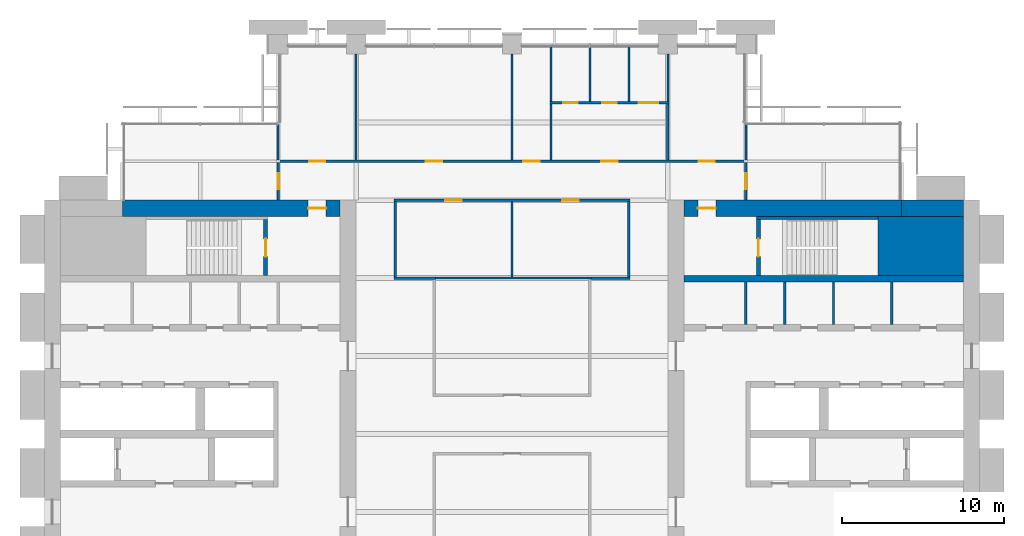
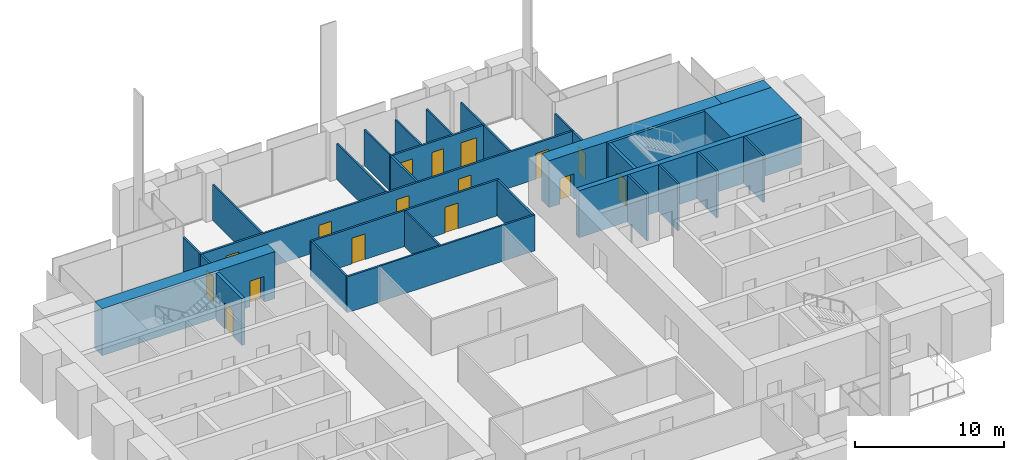
# One storey, part 12 of 14: 33 walls, 16 doors, 16 openings.
"""IFC4 building model written with IfcOpenShell, lengths in metres."""

from ifc_helpers import new_model, si_unit, direction, frame, frame_2d, origin, place, context, subcontext, project, spatial, rectangle, extrude, material, layer, layer_set, type_object, element, fill, save


model = new_model("IFC4")

# Units and contexts
model_context = context("Model", 3, precision=1e-05, world=origin(), true_north=direction((0.0, 1.0)))
body_context = subcontext(model_context, "Body", "Model", "MODEL_VIEW")
ifc_project = project(units=[si_unit("LENGTHUNIT", "METRE"), si_unit("AREAUNIT", "SQUARE_METRE"), si_unit("VOLUMEUNIT", "CUBIC_METRE"), si_unit("PLANEANGLEUNIT", "RADIAN"), si_unit("MASSUNIT", "GRAM", prefix="KILO")], contexts=[model_context])

# Site, building, storey
site_placement = place(None, origin())
site = spatial("IfcSite", under=ifc_project, at=site_placement, CompositionType="ELEMENT")
building_placement = place(site_placement, origin())
building = spatial("IfcBuilding", under=site, at=building_placement, Name="Baori Bourse Tower", CompositionType="ELEMENT")
storey_placement = place(building_placement, frame((0.0, 0.0, 120.10009765625)))
storey = spatial("IfcBuildingStorey", under=building, at=storey_placement, Name="L25", CompositionType="ELEMENT", Elevation=120.10009765625)

# Walls
ifc_material_1 = material(Name="Concrete f'c 60 MPa", Category="concrete")
wall_type_1 = type_object("IfcWallType", Name="Core corner block f'c 60", PredefinedType="SHEAR", material=ifc_material_1)
wall_1_placement = place(storey_placement, frame((51.35009765625, 35.574951171875, 0.0), z_axis=(0.0, 0.0, 1.0), x_axis=(1.0, 0.0, 0.0)))
element("IfcWall", 1, at=wall_1_placement, inside=storey, type_object=wall_type_1, Name="Core wall E28", PredefinedType="SHEAR", context=body_context, shape_type="SweptSolid", body=[
    extrude(rectangle(XDim=5.25, YDim=3.64990234375, at=frame_2d((2.625, 0.0))), origin(), (0.0, 0.0, 1.0), 3.83984375),
])
ifc_material_2 = material(Name="Blockwork partition", Category="masonry")
ifc_layer_1 = layer(ifc_material_2, 0.14990234375)
ifc_layer_set_1 = layer_set([ifc_layer_1], Name="Core partition 150")
wall_type_2 = type_object("IfcWallType", Name="Core partition 150", PredefinedType="PARTITIONING", material=ifc_layer_set_1)
for number, where, z_axis, x_axis, name in (
    (2, (52.199951171875, 30.75, 0.0), (0.0, 0.0, 1.0), (0.0, 1.0, 0.0), "Partition wall E23"),
    (3, (48.60009765625, 30.75, 0.0), (0.0, 0.0, 1.0), (0.0, 1.0, 0.0), "Partition wall E24"),
    (4, (45.60009765625, 30.75, 0.0), (0.0, 0.0, 1.0), (0.0, 1.0, 0.0), "Partition wall E25"),
    (5, (43.199951171875, 30.75, 0.0), (0.0, 0.0, 1.0), (0.0, 1.0, 0.0), "Partition wall E26"),
):
    element("IfcWall", number, at=place(storey_placement, frame(where, z_axis=z_axis, x_axis=x_axis)), inside=storey, type_object=wall_type_2, Name=name, PredefinedType="PARTITIONING", context=body_context, shape_type="SweptSolid", body=[
        extrude(rectangle(XDim=2.60009765625, YDim=0.14990234375, at=frame_2d((1.300048828125, 0.0))), origin(), (0.0, 0.0, 1.0), 3.83984375),
    ])

# Wall, opening, door
ifc_material_3 = material(Name="Concrete f'c 60 MPa", Category="concrete")
ifc_layer_2 = layer(ifc_material_3, 1.0)
ifc_layer_set_2 = layer_set([ifc_layer_2], Name="Core wall 1000 f'c 60")
wall_type_3 = type_object("IfcWallType", Name="Core wall 1000 f'c 60", PredefinedType="SHEAR", material=ifc_layer_set_2)
wall_2_placement = place(storey_placement, frame((4.800048828125, 37.89990234375, 0.0), z_axis=(0.0, 0.0, 1.0), x_axis=(1.0, 0.0, 0.0)))
wall_2 = element("IfcWall", 6, at=wall_2_placement, inside=storey, type_object=wall_type_3, Name="Core wall W32", PredefinedType="SHEAR", context=body_context, shape_type="SweptSolid", body=[
    extrude(rectangle(XDim=13.39990234375, YDim=1.0, at=frame_2d((6.699951171875, 0.0))), origin(), (0.0, 0.0, 1.0), 3.83984375),
])
opening_1_placement = place(wall_2_placement, frame((11.449951171875, 0.0, 0.0)))
opening_1 = element("IfcOpeningElement", 7, at=opening_1_placement, cuts=wall_2, Name="Opening L25-D104", PredefinedType="OPENING", context=body_context, shape_type="SweptSolid", body=[
    extrude(rectangle(XDim=1.10009765625, YDim=2.10009765625, at=frame_2d((0.550048828125, 1.050048828125))), frame((0.0, 0.510009765625, 0.0), z_axis=(0.0, -1.0, 0.0), x_axis=(1.0, 0.0, 0.0)), (0.0, 0.0, 1.0), 1.02001953125),
])
ifc_material_4 = material(Name="Painted steel door", Category="steel")
door_type_1 = type_object("IfcDoorType", Name="Stair door 1100", OperationType="SINGLE_SWING_LEFT", PredefinedType="DOOR", material=ifc_material_4)
door_1_placement = place(opening_1_placement, origin())
door_1 = element("IfcDoor", 8, at=door_1_placement, inside=storey, type_object=door_type_1, Name="Stair vestibule door B W L25", OperationType="SINGLE_SWING_LEFT", OverallHeight=2.10009765625, OverallWidth=1.10009765625, PredefinedType="DOOR", context=body_context, shape_type="SweptSolid", body=[
    extrude(rectangle(XDim=1.10009765625, YDim=2.10009765625, at=frame_2d((0.550048828125, 1.050048828125))), frame((0.0, 0.02490234375, 0.0), z_axis=(0.0, -1.0, 0.0), x_axis=(1.0, 0.0, 0.0)), (0.0, 0.0, 1.0), 0.050048828125),
])
fill(opening_1, door_1)

# Wall
wall_3_placement = place(storey_placement, frame((52.800048828125, 37.89990234375, 0.0), z_axis=(0.0, 0.0, 1.0), x_axis=(1.0, 0.0, 0.0)))
element("IfcWall", 9, at=wall_3_placement, inside=storey, type_object=wall_type_3, Name="Core wall E31", PredefinedType="SHEAR", context=body_context, shape_type="SweptSolid", body=[
    extrude(rectangle(XDim=3.800048828125, YDim=1.0, at=frame_2d((1.89990234375, 0.0))), origin(), (0.0, 0.0, 1.0), 3.83984375),
])

# Wall, opening, door
wall_4_placement = place(storey_placement, frame((39.39990234375, 37.89990234375, 0.0), z_axis=(0.0, 0.0, 1.0), x_axis=(1.0, 0.0, 0.0)))
wall_4 = element("IfcWall", 10, at=wall_4_placement, inside=storey, type_object=wall_type_3, Name="Core wall E32", PredefinedType="SHEAR", context=body_context, shape_type="SweptSolid", body=[
    extrude(rectangle(XDim=13.400146484375, YDim=1.0, at=frame_2d((6.7001953125, 0.0))), origin(), (0.0, 0.0, 1.0), 3.83984375),
])
opening_2_placement = place(wall_4_placement, frame((0.85009765625, 0.0, 0.0)))
opening_2 = element("IfcOpeningElement", 11, at=opening_2_placement, cuts=wall_4, Name="Opening L25-D204", PredefinedType="OPENING", context=body_context, shape_type="SweptSolid", body=[
    extrude(rectangle(XDim=1.10009765625, YDim=2.10009765625, at=frame_2d((0.550048828125, 1.050048828125))), frame((0.0, 0.510009765625, 0.0), z_axis=(0.0, -1.0, 0.0), x_axis=(1.0, 0.0, 0.0)), (0.0, 0.0, 1.0), 1.02001953125),
])
door_2_placement = place(opening_2_placement, origin())
door_2 = element("IfcDoor", 12, at=door_2_placement, inside=storey, type_object=door_type_1, Name="Stair vestibule door B E L25", OperationType="SINGLE_SWING_LEFT", OverallHeight=2.10009765625, OverallWidth=1.10009765625, PredefinedType="DOOR", context=body_context, shape_type="SweptSolid", body=[
    extrude(rectangle(XDim=1.10009765625, YDim=2.10009765625, at=frame_2d((0.550048828125, 1.050048828125))), frame((0.0, 0.02490234375, 0.0), z_axis=(0.0, -1.0, 0.0), x_axis=(1.0, 0.0, 0.0)), (0.0, 0.0, 1.0), 0.050048828125),
])
fill(opening_2, door_2)

# Walls
ifc_material_5 = material(Name="Gypsum board partition")
ifc_layer_3 = layer(ifc_material_5, 0.14990234375)
ifc_layer_set_3 = layer_set([ifc_layer_3], Name="Corridor partition 150")
wall_type_4 = type_object("IfcWallType", Name="Corridor partition 150", PredefinedType="PARTITIONING", material=ifc_layer_set_3)
wall_5_placement = place(storey_placement, frame((21.52490234375, 33.60009765625, 0.0), z_axis=(0.0, 0.0, 1.0), x_axis=(1.0, 0.0, 0.0)))
element("IfcWall", 13, at=wall_5_placement, inside=storey, type_object=wall_type_4, Name="Partition", PredefinedType="PARTITIONING", context=body_context, shape_type="SweptSolid", body=[
    extrude(rectangle(XDim=2.550048828125, YDim=0.14990234375, at=frame_2d((1.27490234375, 0.0))), origin(), (0.0, 0.0, 1.0), 2.935546875),
])
wall_6_placement = place(storey_placement, frame((33.675048828125, 33.60009765625, 0.0), z_axis=(0.0, 0.0, 1.0), x_axis=(1.0, 0.0, 0.0)))
element("IfcWall", 14, at=wall_6_placement, inside=storey, type_object=wall_type_4, Name="Partition", PredefinedType="PARTITIONING", context=body_context, shape_type="SweptSolid", body=[
    extrude(rectangle(XDim=2.39990234375, YDim=0.14990234375, at=frame_2d((1.199951171875, 0.0))), origin(), (0.0, 0.0, 1.0), 2.935546875),
])

# Wall, openings, doors
wall_7_placement = place(storey_placement, frame((21.52490234375, 38.39990234375, 0.0), z_axis=(0.0, 0.0, 1.0), x_axis=(1.0, 0.0, 0.0)))
wall_7 = element("IfcWall", 15, at=wall_7_placement, inside=storey, type_object=wall_type_4, Name="Partition", PredefinedType="PARTITIONING", context=body_context, shape_type="SweptSolid", body=[
    extrude(rectangle(XDim=14.550048828125, YDim=0.14990234375, at=frame_2d((7.27490234375, 0.0))), origin(), (0.0, 0.0, 1.0), 2.935546875),
])
opening_3_placement = place(wall_7_placement, frame((3.175048828125, 0.0, 0.0)))
opening_3 = element("IfcOpeningElement", 16, at=opening_3_placement, cuts=wall_7, Name="Opening L25-D09", PredefinedType="OPENING", context=body_context, shape_type="SweptSolid", body=[
    extrude(rectangle(XDim=1.0, YDim=2.10009765625, at=frame_2d((0.5, 1.050048828125))), frame((0.0, 0.0849609375, 0.0), z_axis=(0.0, -1.0, 0.0), x_axis=(1.0, 0.0, 0.0)), (0.0, 0.0, 1.0), 0.169921875),
])
opening_4_placement = place(wall_7_placement, frame((10.375, 0.0, 0.0)))
opening_4 = element("IfcOpeningElement", 17, at=opening_4_placement, cuts=wall_7, Name="Opening L25-D10", PredefinedType="OPENING", context=body_context, shape_type="SweptSolid", body=[
    extrude(rectangle(XDim=1.0, YDim=2.10009765625, at=frame_2d((0.5, 1.050048828125))), frame((0.0, 0.0849609375, 0.0), z_axis=(0.0, -1.0, 0.0), x_axis=(1.0, 0.0, 0.0)), (0.0, 0.0, 1.0), 0.169921875),
])
ifc_material_6 = material(Name="Timber door leaf", Category="wood")
door_type_2 = type_object("IfcDoorType", Name="Door 1000 x 2100", OperationType="SINGLE_SWING_LEFT", PredefinedType="DOOR", material=ifc_material_6)
door_3_placement = place(opening_3_placement, origin())
door_3 = element("IfcDoor", 18, at=door_3_placement, inside=storey, type_object=door_type_2, Name="Door", OperationType="SINGLE_SWING_LEFT", OverallHeight=2.10009765625, OverallWidth=1.0, PredefinedType="DOOR", context=body_context, shape_type="SweptSolid", body=[
    extrude(rectangle(XDim=1.0, YDim=2.10009765625, at=frame_2d((0.5, 1.050048828125))), frame((0.0, 0.02490234375, 0.0), z_axis=(0.0, -1.0, 0.0), x_axis=(1.0, 0.0, 0.0)), (0.0, 0.0, 1.0), 0.050048828125),
])
fill(opening_3, door_3)
door_4_placement = place(opening_4_placement, origin())
door_4 = element("IfcDoor", 19, at=door_4_placement, inside=storey, type_object=door_type_2, Name="Door", OperationType="SINGLE_SWING_RIGHT", OverallHeight=2.10009765625, OverallWidth=1.0, PredefinedType="DOOR", context=body_context, shape_type="SweptSolid", body=[
    extrude(rectangle(XDim=1.0, YDim=2.10009765625, at=frame_2d((0.5, 1.050048828125))), frame((0.0, 0.02490234375, 0.0), z_axis=(0.0, -1.0, 0.0), x_axis=(1.0, 0.0, 0.0)), (0.0, 0.0, 1.0), 0.050048828125),
])
fill(opening_4, door_4)

wall_8_placement = place(storey_placement, frame((14.324951171875, 40.800048828125, 0.0), z_axis=(0.0, 0.0, 1.0), x_axis=(1.0, 0.0, 0.0)))
wall_8 = element("IfcWall", 20, at=wall_8_placement, inside=storey, type_object=wall_type_4, Name="Partition", PredefinedType="PARTITIONING", context=body_context, shape_type="SweptSolid", body=[
    extrude(rectangle(XDim=28.949951171875, YDim=0.14990234375, at=frame_2d((14.47509765625, 0.0))), origin(), (0.0, 0.0, 1.0), 2.935546875),
])
opening_5_placement = place(wall_8_placement, frame((1.97509765625, 0.0, 0.0)))
opening_5 = element("IfcOpeningElement", 21, at=opening_5_placement, cuts=wall_8, Name="Opening L25-D11", PredefinedType="OPENING", context=body_context, shape_type="SweptSolid", body=[
    extrude(rectangle(XDim=1.0, YDim=2.10009765625, at=frame_2d((0.5, 1.050048828125))), frame((0.0, 0.0849609375, 0.0), z_axis=(0.0, -1.0, 0.0), x_axis=(1.0, 0.0, 0.0)), (0.0, 0.0, 1.0), 0.169921875),
])
opening_6_placement = place(wall_8_placement, frame((9.175048828125, 0.0, 0.0)))
opening_6 = element("IfcOpeningElement", 22, at=opening_6_placement, cuts=wall_8, Name="Opening L25-D12", PredefinedType="OPENING", context=body_context, shape_type="SweptSolid", body=[
    extrude(rectangle(XDim=1.0, YDim=2.10009765625, at=frame_2d((0.5, 1.050048828125))), frame((0.0, 0.0849609375, 0.0), z_axis=(0.0, -1.0, 0.0), x_axis=(1.0, 0.0, 0.0)), (0.0, 0.0, 1.0), 0.169921875),
])
opening_7_placement = place(wall_8_placement, frame((15.175048828125, 0.0, 0.0)))
opening_7 = element("IfcOpeningElement", 23, at=opening_7_placement, cuts=wall_8, Name="Opening L25-D13", PredefinedType="OPENING", context=body_context, shape_type="SweptSolid", body=[
    extrude(rectangle(XDim=1.0, YDim=2.10009765625, at=frame_2d((0.5, 1.050048828125))), frame((0.0, 0.0849609375, 0.0), z_axis=(0.0, -1.0, 0.0), x_axis=(1.0, 0.0, 0.0)), (0.0, 0.0, 1.0), 0.169921875),
])
opening_8_placement = place(wall_8_placement, frame((19.97509765625, 0.0, 0.0)))
opening_8 = element("IfcOpeningElement", 24, at=opening_8_placement, cuts=wall_8, Name="Opening L25-D14", PredefinedType="OPENING", context=body_context, shape_type="SweptSolid", body=[
    extrude(rectangle(XDim=1.0, YDim=2.10009765625, at=frame_2d((0.5, 1.050048828125))), frame((0.0, 0.0849609375, 0.0), z_axis=(0.0, -1.0, 0.0), x_axis=(1.0, 0.0, 0.0)), (0.0, 0.0, 1.0), 0.169921875),
])
opening_9_placement = place(wall_8_placement, frame((25.97509765625, 0.0, 0.0)))
opening_9 = element("IfcOpeningElement", 25, at=opening_9_placement, cuts=wall_8, Name="Opening L25-D15", PredefinedType="OPENING", context=body_context, shape_type="SweptSolid", body=[
    extrude(rectangle(XDim=1.0, YDim=2.10009765625, at=frame_2d((0.5, 1.050048828125))), frame((0.0, 0.0849609375, 0.0), z_axis=(0.0, -1.0, 0.0), x_axis=(1.0, 0.0, 0.0)), (0.0, 0.0, 1.0), 0.169921875),
])
door_5_placement = place(opening_5_placement, origin())
door_5 = element("IfcDoor", 26, at=door_5_placement, inside=storey, type_object=door_type_2, Name="Door", OperationType="SINGLE_SWING_RIGHT", OverallHeight=2.10009765625, OverallWidth=1.0, PredefinedType="DOOR", context=body_context, shape_type="SweptSolid", body=[
    extrude(rectangle(XDim=1.0, YDim=2.10009765625, at=frame_2d((0.5, 1.050048828125))), frame((0.0, 0.02490234375, 0.0), z_axis=(0.0, -1.0, 0.0), x_axis=(1.0, 0.0, 0.0)), (0.0, 0.0, 1.0), 0.050048828125),
])
fill(opening_5, door_5)
door_6_placement = place(opening_6_placement, origin())
door_6 = element("IfcDoor", 27, at=door_6_placement, inside=storey, type_object=door_type_2, Name="Door", OperationType="SINGLE_SWING_RIGHT", OverallHeight=2.10009765625, OverallWidth=1.0, PredefinedType="DOOR", context=body_context, shape_type="SweptSolid", body=[
    extrude(rectangle(XDim=1.0, YDim=2.10009765625, at=frame_2d((0.5, 1.050048828125))), frame((0.0, 0.02490234375, 0.0), z_axis=(0.0, -1.0, 0.0), x_axis=(1.0, 0.0, 0.0)), (0.0, 0.0, 1.0), 0.050048828125),
])
fill(opening_6, door_6)
door_7_placement = place(opening_7_placement, origin())
door_7 = element("IfcDoor", 28, at=door_7_placement, inside=storey, type_object=door_type_2, Name="Door", OperationType="SINGLE_SWING_LEFT", OverallHeight=2.10009765625, OverallWidth=1.0, PredefinedType="DOOR", context=body_context, shape_type="SweptSolid", body=[
    extrude(rectangle(XDim=1.0, YDim=2.10009765625, at=frame_2d((0.5, 1.050048828125))), frame((0.0, 0.02490234375, 0.0), z_axis=(0.0, -1.0, 0.0), x_axis=(1.0, 0.0, 0.0)), (0.0, 0.0, 1.0), 0.050048828125),
])
fill(opening_7, door_7)
door_8_placement = place(opening_8_placement, origin())
door_8 = element("IfcDoor", 29, at=door_8_placement, inside=storey, type_object=door_type_2, Name="Door", OperationType="SINGLE_SWING_RIGHT", OverallHeight=2.10009765625, OverallWidth=1.0, PredefinedType="DOOR", context=body_context, shape_type="SweptSolid", body=[
    extrude(rectangle(XDim=1.0, YDim=2.10009765625, at=frame_2d((0.5, 1.050048828125))), frame((0.0, 0.02490234375, 0.0), z_axis=(0.0, -1.0, 0.0), x_axis=(1.0, 0.0, 0.0)), (0.0, 0.0, 1.0), 0.050048828125),
])
fill(opening_8, door_8)
door_9_placement = place(opening_9_placement, origin())
door_9 = element("IfcDoor", 30, at=door_9_placement, inside=storey, type_object=door_type_2, Name="Door", OperationType="SINGLE_SWING_LEFT", OverallHeight=2.10009765625, OverallWidth=1.0, PredefinedType="DOOR", context=body_context, shape_type="SweptSolid", body=[
    extrude(rectangle(XDim=1.0, YDim=2.10009765625, at=frame_2d((0.5, 1.050048828125))), frame((0.0, 0.02490234375, 0.0), z_axis=(0.0, -1.0, 0.0), x_axis=(1.0, 0.0, 0.0)), (0.0, 0.0, 1.0), 0.050048828125),
])
fill(opening_9, door_9)

wall_9_placement = place(storey_placement, frame((31.125, 44.39990234375, 0.0), z_axis=(0.0, 0.0, 1.0), x_axis=(1.0, 0.0, 0.0)))
wall_9 = element("IfcWall", 31, at=wall_9_placement, inside=storey, type_object=wall_type_4, Name="Partition", PredefinedType="PARTITIONING", context=body_context, shape_type="SweptSolid", body=[
    extrude(rectangle(XDim=7.35009765625, YDim=0.14990234375, at=frame_2d((3.675048828125, 0.0))), origin(), (0.0, 0.0, 1.0), 2.935546875),
])
opening_10_placement = place(wall_9_placement, frame((0.824951171875, 0.0, 0.0)))
opening_10 = element("IfcOpeningElement", 32, at=opening_10_placement, cuts=wall_9, Name="Opening L25-D16", PredefinedType="OPENING", context=body_context, shape_type="SweptSolid", body=[
    extrude(rectangle(XDim=0.89990234375, YDim=2.10009765625, at=frame_2d((0.449951171875, 1.050048828125))), frame((0.0, 0.0849609375, 0.0), z_axis=(0.0, -1.0, 0.0), x_axis=(1.0, 0.0, 0.0)), (0.0, 0.0, 1.0), 0.169921875),
])
opening_11_placement = place(wall_9_placement, frame((3.22509765625, 0.0, 0.0)))
opening_11 = element("IfcOpeningElement", 33, at=opening_11_placement, cuts=wall_9, Name="Opening L25-D17", PredefinedType="OPENING", context=body_context, shape_type="SweptSolid", body=[
    extrude(rectangle(XDim=0.89990234375, YDim=2.10009765625, at=frame_2d((0.449951171875, 1.050048828125))), frame((0.0, 0.0849609375, 0.0), z_axis=(0.0, -1.0, 0.0), x_axis=(1.0, 0.0, 0.0)), (0.0, 0.0, 1.0), 0.169921875),
])
opening_12_placement = place(wall_9_placement, frame((5.47509765625, 0.0, 0.0)))
opening_12 = element("IfcOpeningElement", 34, at=opening_12_placement, cuts=wall_9, Name="Opening L25-D18", PredefinedType="OPENING", context=body_context, shape_type="SweptSolid", body=[
    extrude(rectangle(XDim=1.199951171875, YDim=2.10009765625, at=frame_2d((0.60009765625, 1.050048828125))), frame((0.0, 0.0849609375, 0.0), z_axis=(0.0, -1.0, 0.0), x_axis=(1.0, 0.0, 0.0)), (0.0, 0.0, 1.0), 0.169921875),
])
ifc_material_7 = material(Name="Timber door leaf", Category="wood")
door_type_3 = type_object("IfcDoorType", Name="Door 1200 x 2100", OperationType="SINGLE_SWING_LEFT", PredefinedType="DOOR", material=ifc_material_7)
door_10_placement = place(opening_12_placement, origin())
door_10 = element("IfcDoor", 35, at=door_10_placement, inside=storey, type_object=door_type_3, Name="Door", OperationType="SINGLE_SWING_LEFT", OverallHeight=2.10009765625, OverallWidth=1.199951171875, PredefinedType="DOOR", context=body_context, shape_type="SweptSolid", body=[
    extrude(rectangle(XDim=1.199951171875, YDim=2.10009765625, at=frame_2d((0.60009765625, 1.050048828125))), frame((0.0, 0.02490234375, 0.0), z_axis=(0.0, -1.0, 0.0), x_axis=(1.0, 0.0, 0.0)), (0.0, 0.0, 1.0), 0.050048828125),
])
fill(opening_12, door_10)
ifc_material_8 = material(Name="Timber door leaf", Category="wood")
door_type_4 = type_object("IfcDoorType", Name="Door 900 x 2100", OperationType="SINGLE_SWING_LEFT", PredefinedType="DOOR", material=ifc_material_8)
door_11_placement = place(opening_10_placement, origin())
door_11 = element("IfcDoor", 36, at=door_11_placement, inside=storey, type_object=door_type_4, Name="Door", OperationType="SINGLE_SWING_RIGHT", OverallHeight=2.10009765625, OverallWidth=0.89990234375, PredefinedType="DOOR", context=body_context, shape_type="SweptSolid", body=[
    extrude(rectangle(XDim=0.89990234375, YDim=2.10009765625, at=frame_2d((0.449951171875, 1.050048828125))), frame((0.0, 0.02490234375, 0.0), z_axis=(0.0, -1.0, 0.0), x_axis=(1.0, 0.0, 0.0)), (0.0, 0.0, 1.0), 0.050048828125),
])
fill(opening_10, door_11)
door_12_placement = place(opening_11_placement, origin())
door_12 = element("IfcDoor", 37, at=door_12_placement, inside=storey, type_object=door_type_4, Name="Door", OperationType="SINGLE_SWING_RIGHT", OverallHeight=2.10009765625, OverallWidth=0.89990234375, PredefinedType="DOOR", context=body_context, shape_type="SweptSolid", body=[
    extrude(rectangle(XDim=0.89990234375, YDim=2.10009765625, at=frame_2d((0.449951171875, 1.050048828125))), frame((0.0, 0.02490234375, 0.0), z_axis=(0.0, -1.0, 0.0), x_axis=(1.0, 0.0, 0.0)), (0.0, 0.0, 1.0), 0.050048828125),
])
fill(opening_11, door_12)

# Wall, opening, door
wall_10_placement = place(storey_placement, frame((14.39990234375, 38.39990234375, 0.0), z_axis=(0.0, 0.0, 1.0), x_axis=(0.0, 1.0, 0.0)))
wall_10 = element("IfcWall", 38, at=wall_10_placement, inside=storey, type_object=wall_type_4, Name="Partition", PredefinedType="PARTITIONING", context=body_context, shape_type="SweptSolid", body=[
    extrude(rectangle(XDim=2.3251953125, YDim=0.14990234375, at=frame_2d((1.16259765625, 0.0))), origin(), (0.0, 0.0, 1.0), 2.935546875),
])
opening_13_placement = place(wall_10_placement, frame((0.66259765625, 0.0, 0.0)))
opening_13 = element("IfcOpeningElement", 39, at=opening_13_placement, cuts=wall_10, Name="Opening L25-D20", PredefinedType="OPENING", context=body_context, shape_type="SweptSolid", body=[
    extrude(rectangle(XDim=1.0, YDim=2.10009765625, at=frame_2d((0.5, 1.050048828125))), frame((0.0, 0.0849609375, 0.0), z_axis=(0.0, -1.0, 0.0), x_axis=(1.0, 0.0, 0.0)), (0.0, 0.0, 1.0), 0.169921875),
])
door_13_placement = place(opening_13_placement, origin())
door_13 = element("IfcDoor", 40, at=door_13_placement, inside=storey, type_object=door_type_2, Name="Door", OperationType="SINGLE_SWING_RIGHT", OverallHeight=2.10009765625, OverallWidth=1.0, PredefinedType="DOOR", context=body_context, shape_type="SweptSolid", body=[
    extrude(rectangle(XDim=1.0, YDim=2.10009765625, at=frame_2d((0.5, 1.050048828125))), frame((0.0, 0.02490234375, 0.0), z_axis=(0.0, -1.0, 0.0), x_axis=(1.0, 0.0, 0.0)), (0.0, 0.0, 1.0), 0.050048828125),
])
fill(opening_13, door_13)

# Walls
wall_11_placement = place(storey_placement, frame((21.60009765625, 33.675048828125, 0.0), z_axis=(0.0, 0.0, 1.0), x_axis=(0.0, 1.0, 0.0)))
element("IfcWall", 41, at=wall_11_placement, inside=storey, type_object=wall_type_4, Name="Partition", PredefinedType="PARTITIONING", context=body_context, shape_type="SweptSolid", body=[
    extrude(rectangle(XDim=4.64990234375, YDim=0.14990234375, at=frame_2d((2.324951171875, 0.0))), origin(), (0.0, 0.0, 1.0), 2.935546875),
])
wall_12_placement = place(storey_placement, frame((31.199951171875, 40.875, 0.0), z_axis=(0.0, 0.0, 1.0), x_axis=(0.0, 1.0, 0.0)))
element("IfcWall", 42, at=wall_12_placement, inside=storey, type_object=wall_type_4, Name="Partition", PredefinedType="PARTITIONING", context=body_context, shape_type="SweptSolid", body=[
    extrude(rectangle(XDim=3.449951171875, YDim=0.14990234375, at=frame_2d((1.72509765625, 0.0))), origin(), (0.0, 0.0, 1.0), 2.935546875),
])
wall_13_placement = place(storey_placement, frame((36.0, 33.675048828125, 0.0), z_axis=(0.0, 0.0, 1.0), x_axis=(0.0, 1.0, 0.0)))
element("IfcWall", 43, at=wall_13_placement, inside=storey, type_object=wall_type_4, Name="Partition", PredefinedType="PARTITIONING", context=body_context, shape_type="SweptSolid", body=[
    extrude(rectangle(XDim=4.64990234375, YDim=0.14990234375, at=frame_2d((2.324951171875, 0.0))), origin(), (0.0, 0.0, 1.0), 2.935546875),
])
wall_14_placement = place(storey_placement, frame((38.39990234375, 40.875, 0.0), z_axis=(0.0, 0.0, 1.0), x_axis=(0.0, 1.0, 0.0)))
element("IfcWall", 44, at=wall_14_placement, inside=storey, type_object=wall_type_4, Name="Partition", PredefinedType="PARTITIONING", context=body_context, shape_type="SweptSolid", body=[
    extrude(rectangle(XDim=3.449951171875, YDim=0.14990234375, at=frame_2d((1.72509765625, 0.0))), origin(), (0.0, 0.0, 1.0), 2.935546875),
])

# Wall, opening, door
wall_15_placement = place(storey_placement, frame((43.199951171875, 38.39990234375, 0.0), z_axis=(0.0, 0.0, 1.0), x_axis=(0.0, 1.0, 0.0)))
wall_15 = element("IfcWall", 45, at=wall_15_placement, inside=storey, type_object=wall_type_4, Name="Partition", PredefinedType="PARTITIONING", context=body_context, shape_type="SweptSolid", body=[
    extrude(rectangle(XDim=2.3251953125, YDim=0.14990234375, at=frame_2d((1.16259765625, 0.0))), origin(), (0.0, 0.0, 1.0), 2.935546875),
])
opening_14_placement = place(wall_15_placement, frame((0.66259765625, 0.0, 0.0)))
opening_14 = element("IfcOpeningElement", 46, at=opening_14_placement, cuts=wall_15, Name="Opening L25-D21", PredefinedType="OPENING", context=body_context, shape_type="SweptSolid", body=[
    extrude(rectangle(XDim=1.0, YDim=2.10009765625, at=frame_2d((0.5, 1.050048828125))), frame((0.0, 0.0849609375, 0.0), z_axis=(0.0, -1.0, 0.0), x_axis=(1.0, 0.0, 0.0)), (0.0, 0.0, 1.0), 0.169921875),
])
door_14_placement = place(opening_14_placement, origin())
door_14 = element("IfcDoor", 47, at=door_14_placement, inside=storey, type_object=door_type_2, Name="Door", OperationType="SINGLE_SWING_LEFT", OverallHeight=2.10009765625, OverallWidth=1.0, PredefinedType="DOOR", context=body_context, shape_type="SweptSolid", body=[
    extrude(rectangle(XDim=1.0, YDim=2.10009765625, at=frame_2d((0.5, 1.050048828125))), frame((0.0, 0.02490234375, 0.0), z_axis=(0.0, -1.0, 0.0), x_axis=(1.0, 0.0, 0.0)), (0.0, 0.0, 1.0), 0.050048828125),
])
fill(opening_14, door_14)

# Walls
ifc_material_9 = material(Name="Gypsum board partition")
ifc_layer_4 = layer(ifc_material_9, 0.125)
ifc_layer_set_4 = layer_set([ifc_layer_4], Name="Partition 125")
wall_type_5 = type_object("IfcWallType", Name="Partition 125", PredefinedType="PARTITIONING", material=ifc_layer_set_4)
wall_16_placement = place(storey_placement, frame((24.074951171875, 33.60009765625, 0.0), z_axis=(0.0, 0.0, 1.0), x_axis=(1.0, 0.0, 0.0)))
element("IfcWall", 48, at=wall_16_placement, inside=storey, type_object=wall_type_5, Name="Partition", PredefinedType="PARTITIONING", context=body_context, shape_type="SweptSolid", body=[
    extrude(rectangle(XDim=9.60009765625, YDim=0.125, at=frame_2d((4.800048828125, 0.0))), origin(), (0.0, 0.0, 1.0), 2.935546875),
])
wall_17_placement = place(storey_placement, frame((14.39990234375, 40.875, 0.0), z_axis=(0.0, 0.0, 1.0), x_axis=(0.0, 1.0, 0.0)))
element("IfcWall", 49, at=wall_17_placement, inside=storey, type_object=wall_type_5, Name="Partition", PredefinedType="PARTITIONING", context=body_context, shape_type="SweptSolid", body=[
    extrude(rectangle(XDim=2.22509765625, YDim=0.125, at=frame_2d((1.112548828125, 0.0))), origin(), (0.0, 0.0, 1.0), 2.935546875),
])
wall_18_placement = place(storey_placement, frame((19.199951171875, 40.875, 0.0), z_axis=(0.0, 0.0, 1.0), x_axis=(0.0, 1.0, 0.0)))
element("IfcWall", 50, at=wall_18_placement, inside=storey, type_object=wall_type_5, Name="Partition", PredefinedType="PARTITIONING", context=body_context, shape_type="SweptSolid", body=[
    extrude(rectangle(XDim=6.52490234375, YDim=0.125, at=frame_2d((3.262451171875, 0.0))), origin(), (0.0, 0.0, 1.0), 2.935546875),
])
wall_19_placement = place(storey_placement, frame((28.800048828125, 33.66259765625, 0.0), z_axis=(0.0, 0.0, 1.0), x_axis=(0.0, 1.0, 0.0)))
element("IfcWall", 51, at=wall_19_placement, inside=storey, type_object=wall_type_5, Name="Partition", PredefinedType="PARTITIONING", context=body_context, shape_type="SweptSolid", body=[
    extrude(rectangle(XDim=4.662353515625, YDim=0.125, at=frame_2d((2.3310546875, 0.0))), origin(), (0.0, 0.0, 1.0), 2.935546875),
])
wall_20_placement = place(storey_placement, frame((28.800048828125, 40.875, 0.0), z_axis=(0.0, 0.0, 1.0), x_axis=(0.0, 1.0, 0.0)))
element("IfcWall", 52, at=wall_20_placement, inside=storey, type_object=wall_type_5, Name="Partition", PredefinedType="PARTITIONING", context=body_context, shape_type="SweptSolid", body=[
    extrude(rectangle(XDim=6.52490234375, YDim=0.125, at=frame_2d((3.262451171875, 0.0))), origin(), (0.0, 0.0, 1.0), 2.935546875),
])
for number, where, z_axis, x_axis, name in (
    (53, (31.199951171875, 44.47509765625, 0.0), (0.0, 0.0, 1.0), (0.0, 1.0, 0.0), "Partition"),
    (54, (33.60009765625, 44.47509765625, 0.0), (0.0, 0.0, 1.0), (0.0, 1.0, 0.0), "Partition"),
    (55, (36.0, 44.47509765625, 0.0), (0.0, 0.0, 1.0), (0.0, 1.0, 0.0), "Partition"),
):
    element("IfcWall", number, at=place(storey_placement, frame(where, z_axis=z_axis, x_axis=x_axis)), inside=storey, type_object=wall_type_5, Name=name, PredefinedType="PARTITIONING", context=body_context, shape_type="SweptSolid", body=[
        extrude(rectangle(XDim=3.4248046875, YDim=0.125, at=frame_2d((1.71240234375, 0.0))), origin(), (0.0, 0.0, 1.0), 2.935546875),
    ])
wall_21_placement = place(storey_placement, frame((38.39990234375, 44.47509765625, 0.0), z_axis=(0.0, 0.0, 1.0), x_axis=(0.0, 1.0, 0.0)))
element("IfcWall", 56, at=wall_21_placement, inside=storey, type_object=wall_type_5, Name="Partition", PredefinedType="PARTITIONING", context=body_context, shape_type="SweptSolid", body=[
    extrude(rectangle(XDim=2.9248046875, YDim=0.125, at=frame_2d((1.46240234375, 0.0))), origin(), (0.0, 0.0, 1.0), 2.935546875),
])
wall_22_placement = place(storey_placement, frame((43.199951171875, 40.875, 0.0), z_axis=(0.0, 0.0, 1.0), x_axis=(0.0, 1.0, 0.0)))
element("IfcWall", 57, at=wall_22_placement, inside=storey, type_object=wall_type_5, Name="Partition", PredefinedType="PARTITIONING", context=body_context, shape_type="SweptSolid", body=[
    extrude(rectangle(XDim=2.22509765625, YDim=0.125, at=frame_2d((1.112548828125, 0.0))), origin(), (0.0, 0.0, 1.0), 2.935546875),
])
ifc_material_10 = material(Name="Concrete f'c 60 MPa", Category="concrete")
ifc_layer_5 = layer(ifc_material_10, 0.199951171875)
ifc_layer_set_5 = layer_set([ifc_layer_5], Name="Shaft wall 200 f'c 60")
wall_type_6 = type_object("IfcWallType", Name="Shaft wall 200 f'c 60", PredefinedType="SHEAR", material=ifc_layer_set_5)
wall_23_placement = place(storey_placement, frame((43.85009765625, 37.300048828125, 0.0), z_axis=(0.0, 0.0, 1.0), x_axis=(1.0, 0.0, 0.0)))
element("IfcWall", 58, at=wall_23_placement, inside=storey, type_object=wall_type_6, Name="Core wall E30", PredefinedType="SHEAR", context=body_context, shape_type="SweptSolid", body=[
    extrude(rectangle(XDim=7.5, YDim=0.199951171875, at=frame_2d((3.75, 0.0))), origin(), (0.0, 0.0, 1.0), 3.83984375),
])

# Wall, opening, door
ifc_material_11 = material(Name="Concrete f'c 60 MPa", Category="concrete")
ifc_layer_6 = layer(ifc_material_11, 0.25)
ifc_layer_set_6 = layer_set([ifc_layer_6], Name="Shaft wall 250 f'c 60")
wall_type_7 = type_object("IfcWallType", Name="Shaft wall 250 f'c 60", PredefinedType="SHEAR", material=ifc_layer_set_6)
wall_24_placement = place(storey_placement, frame((13.625, 33.75, 0.0), z_axis=(0.0, 0.0, 1.0), x_axis=(0.0, 1.0, 0.0)))
wall_24 = element("IfcWall", 59, at=wall_24_placement, inside=storey, type_object=wall_type_7, Name="Core wall W29", PredefinedType="SHEAR", context=body_context, shape_type="SweptSolid", body=[
    extrude(rectangle(XDim=3.449951171875, YDim=0.25, at=frame_2d((1.72509765625, 0.0))), origin(), (0.0, 0.0, 1.0), 3.83984375),
])
opening_15_placement = place(wall_24_placement, frame((1.175048828125, 0.0, 0.0)))
opening_15 = element("IfcOpeningElement", 60, at=opening_15_placement, cuts=wall_24, Name="Opening L25-D103", PredefinedType="OPENING", context=body_context, shape_type="SweptSolid", body=[
    extrude(rectangle(XDim=1.10009765625, YDim=2.10009765625, at=frame_2d((0.550048828125, 1.050048828125))), frame((0.0, 0.135009765625, 0.0), z_axis=(0.0, -1.0, 0.0), x_axis=(1.0, 0.0, 0.0)), (0.0, 0.0, 1.0), 0.27001953125),
])
door_15_placement = place(opening_15_placement, origin())
door_15 = element("IfcDoor", 61, at=door_15_placement, inside=storey, type_object=door_type_1, Name="Stair door B W L25", OperationType="SINGLE_SWING_LEFT", OverallHeight=2.10009765625, OverallWidth=1.10009765625, PredefinedType="DOOR", context=body_context, shape_type="SweptSolid", body=[
    extrude(rectangle(XDim=1.10009765625, YDim=2.10009765625, at=frame_2d((0.550048828125, 1.050048828125))), frame((0.0, 0.02490234375, 0.0), z_axis=(0.0, -1.0, 0.0), x_axis=(1.0, 0.0, 0.0)), (0.0, 0.0, 1.0), 0.050048828125),
])
fill(opening_15, door_15)

wall_25_placement = place(storey_placement, frame((43.97509765625, 33.75, 0.0), z_axis=(0.0, 0.0, 1.0), x_axis=(0.0, 1.0, 0.0)))
wall_25 = element("IfcWall", 62, at=wall_25_placement, inside=storey, type_object=wall_type_7, Name="Core wall E29", PredefinedType="SHEAR", context=body_context, shape_type="SweptSolid", body=[
    extrude(rectangle(XDim=3.449951171875, YDim=0.25, at=frame_2d((1.72509765625, 0.0))), origin(), (0.0, 0.0, 1.0), 3.83984375),
])
opening_16_placement = place(wall_25_placement, frame((1.175048828125, 0.0, 0.0)))
opening_16 = element("IfcOpeningElement", 63, at=opening_16_placement, cuts=wall_25, Name="Opening L25-D203", PredefinedType="OPENING", context=body_context, shape_type="SweptSolid", body=[
    extrude(rectangle(XDim=1.10009765625, YDim=2.10009765625, at=frame_2d((0.550048828125, 1.050048828125))), frame((0.0, 0.135009765625, 0.0), z_axis=(0.0, -1.0, 0.0), x_axis=(1.0, 0.0, 0.0)), (0.0, 0.0, 1.0), 0.27001953125),
])
door_16_placement = place(opening_16_placement, origin())
door_16 = element("IfcDoor", 64, at=door_16_placement, inside=storey, type_object=door_type_1, Name="Stair door B E L25", OperationType="SINGLE_SWING_LEFT", OverallHeight=2.10009765625, OverallWidth=1.10009765625, PredefinedType="DOOR", context=body_context, shape_type="SweptSolid", body=[
    extrude(rectangle(XDim=1.10009765625, YDim=2.10009765625, at=frame_2d((0.550048828125, 1.050048828125))), frame((0.0, 0.02490234375, 0.0), z_axis=(0.0, -1.0, 0.0), x_axis=(1.0, 0.0, 0.0)), (0.0, 0.0, 1.0), 0.050048828125),
])
fill(opening_16, door_16)

# Wall
ifc_material_12 = material(Name="Concrete f'c 60 MPa", Category="concrete")
ifc_layer_7 = layer(ifc_material_12, 0.39990234375)
ifc_layer_set_7 = layer_set([ifc_layer_7], Name="Shaft wall 400 f'c 60")
wall_type_8 = type_object("IfcWallType", Name="Shaft wall 400 f'c 60", PredefinedType="SHEAR", material=ifc_layer_set_7)
wall_26_placement = place(storey_placement, frame((39.39990234375, 33.550048828125, 0.0), z_axis=(0.0, 0.0, 1.0), x_axis=(1.0, 0.0, 0.0)))
element("IfcWall", 65, at=wall_26_placement, inside=storey, type_object=wall_type_8, Name="Core wall E27", PredefinedType="SHEAR", context=body_context, shape_type="SweptSolid", body=[
    extrude(rectangle(XDim=17.2001953125, YDim=0.39990234375, at=frame_2d((8.60009765625, 0.0))), origin(), (0.0, 0.0, 1.0), 3.83984375),
])

save(model, "model.ifc")
